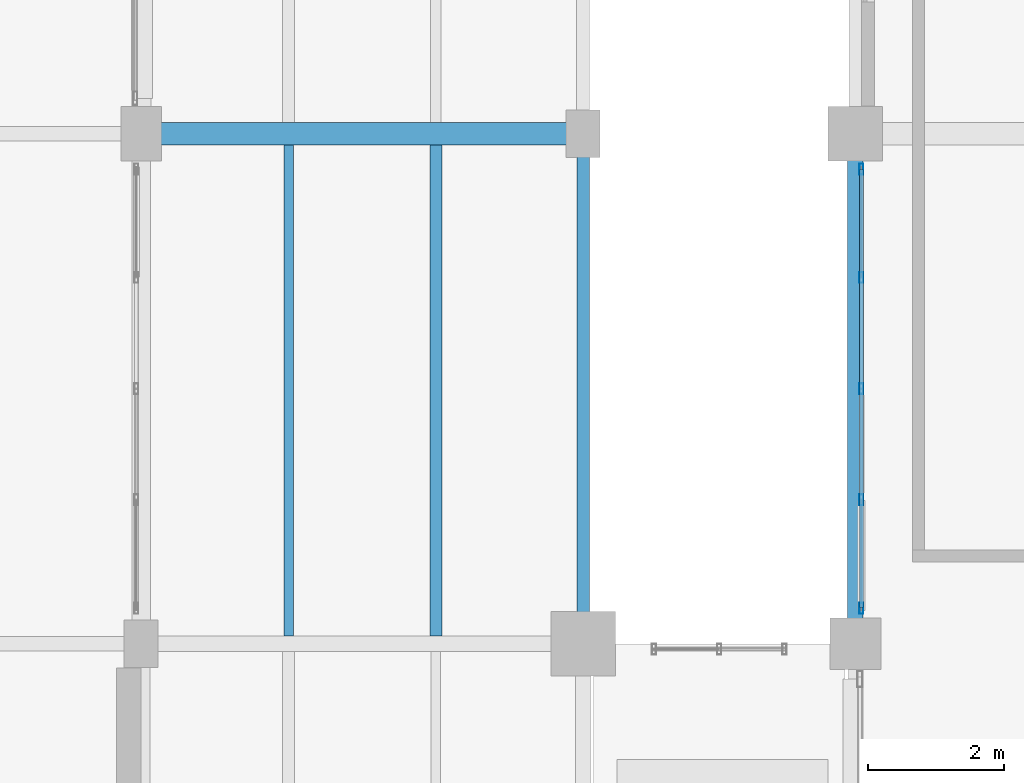
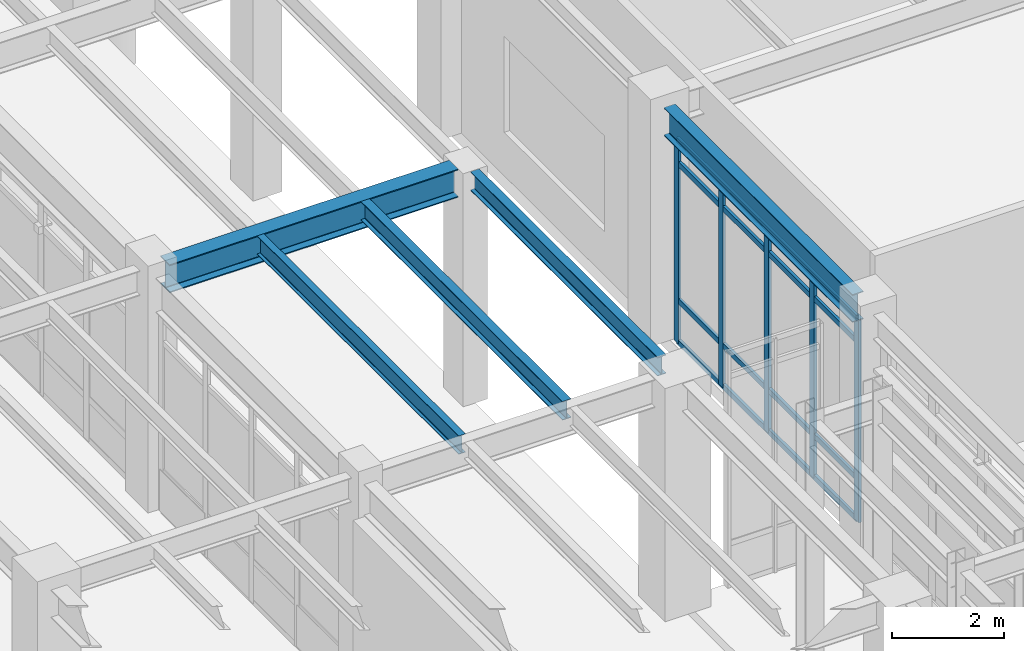
# One storey, part 116 of 203: 9 members, 5 beams, 1 element without a shape of its own.
"""IFC4 building model written with IfcOpenShell, lengths in metres."""

from ifc_helpers import new_model, si_unit, direction, frame, origin, origin_2d, place, context, subcontext, project, spatial, hollow_rectangle, i_section, extrude, material, material_profile, profile_set, type_object, element, aggregate, save


model = new_model("IFC4")

# Units and contexts
model_context = context("Model", 3, precision=1e-05, world=origin(), true_north=direction((0.0, 1.0)))
body_context = subcontext(model_context, "Body", "Model", "MODEL_VIEW")
ifc_project = project(units=[si_unit("LENGTHUNIT", "METRE"), si_unit("AREAUNIT", "SQUARE_METRE"), si_unit("VOLUMEUNIT", "CUBIC_METRE"), si_unit("PLANEANGLEUNIT", "RADIAN"), si_unit("MASSUNIT", "GRAM", prefix="KILO"), si_unit("THERMODYNAMICTEMPERATUREUNIT", "KELVIN"), si_unit("POWERUNIT", "WATT")], contexts=[model_context])

# Site, building, storey
site_placement = place(None, origin())
site = spatial("IfcSite", under=ifc_project, at=site_placement, CompositionType="ELEMENT")
building_placement = place(site_placement, origin())
building = spatial("IfcBuilding", under=site, at=building_placement, Name="Tepalcoro Natatorium and Aquatics Centre", CompositionType="ELEMENT")
storey_placement = place(building_placement, origin())
storey = spatial("IfcBuildingStorey", under=building, at=storey_placement, Name="L00", CompositionType="ELEMENT", Elevation=0.0)

# Beam
ifc_material_1 = material(Name="Steel ASTM A992 Grade 50 (Fy 345 MPa)", Category="steel")
ifc_material_profile_1 = material_profile(ifc_material_1, i_section(OverallWidth=0.324951171875, OverallDepth=0.616943359375, WebThickness=0.013916015625, FlangeThickness=0.02197265625, FilletRadius=0.013916015625, at=origin_2d()), Name="W24X117")
ifc_profile_set_1 = profile_set([ifc_material_profile_1], Name="Steel ASTM A992 Grade 50 (Fy 345 MPa)")
beam_type_1 = type_object("IfcBeamType", Name="BM_W24x117", PredefinedType="BEAM", material=ifc_profile_set_1)
beam_1_placement = place(storey_placement, frame((131.784912109375, 51.5, 4.776611328125), z_axis=(1.0, 0.0, 0.0), x_axis=(0.0, 1.0, 0.0)))
element("IfcBeam", 1, at=beam_1_placement, inside=storey, type_object=beam_type_1, Name="V1 L00 Grid Girder X", PredefinedType="BEAM", context=body_context, shape_type="SweptSolid", body=[
    extrude(i_section(OverallWidth=0.324951171875, OverallDepth=0.616943359375, WebThickness=0.013916015625, FlangeThickness=0.02197265625, FilletRadius=0.013916015625, at=origin_2d()), origin(), (0.0, 0.0, 1.0), 5.97998046875),
])

# Curtain wall, members
ifc_material_2 = material(Name="Bronze-Anodised Extruded Aluminium Alloy EN AW-6063 T6", Category="aluminium")
curtain_wall_type = type_object("IfcCurtainWallType", Name="CW_V1_PLINTH", PredefinedType="USERDEFINED", material=ifc_material_2)
curtain_wall_placement = place(storey_placement, origin())
curtain_wall = element("IfcCurtainWall", 2, at=curtain_wall_placement, inside=storey, type_object=curtain_wall_type, Name="V2 L00 W Unitised Curtain Wall Bay 6", ObjectType="UNITISED STOREFRONT", PredefinedType="USERDEFINED")
ifc_material_profile_2 = material_profile(ifc_material_2, hollow_rectangle(XDim=0.06005859375, YDim=0.159912109375, WallThickness=0.00390625, at=origin_2d()), Name="AL60X160X4")
ifc_profile_set_2 = profile_set([ifc_material_profile_2], Name="Bronze-Anodised Extruded Aluminium Alloy EN AW-6063 T6")
member_type_1 = type_object("IfcMemberType", Name="CW_MUL_60x160", PredefinedType="MULLION", material=ifc_profile_set_2)
member_1_placement = place(storey_placement, frame((142.090087890625, 44.52001953125, 0.02001953125), z_axis=(0.0, 0.0, 1.0), x_axis=(1.0, 0.0, 0.0)))
member_1 = element("IfcMember", 3, at=member_1_placement, type_object=member_type_1, Name="CW_V1_PLINTH Curtain Wall Mullion", PredefinedType="MULLION", context=body_context, shape_type="SweptSolid", body=[
    extrude(hollow_rectangle(XDim=0.06005859375, YDim=0.159912109375, WallThickness=0.00390625, at=origin_2d()), origin(), (0.0, 0.0, 1.0), 4.4580078125),
])
member_2_placement = place(storey_placement, frame((142.090087890625, 46.114990234375, 0.02001953125), z_axis=(0.0, 0.0, 1.0), x_axis=(1.0, 0.0, 0.0)))
member_2 = element("IfcMember", 4, at=member_2_placement, type_object=member_type_1, Name="CW_V1_PLINTH Curtain Wall Mullion", PredefinedType="MULLION", context=body_context, shape_type="SweptSolid", body=[
    extrude(hollow_rectangle(XDim=0.06005859375, YDim=0.159912109375, WallThickness=0.00390625, at=origin_2d()), origin(), (0.0, 0.0, 1.0), 4.4580078125),
])
member_3_placement = place(storey_placement, frame((142.090087890625, 47.75, 0.02001953125), z_axis=(0.0, 0.0, 1.0), x_axis=(1.0, 0.0, 0.0)))
member_3 = element("IfcMember", 5, at=member_3_placement, type_object=member_type_1, Name="CW_V1_PLINTH Curtain Wall Mullion", PredefinedType="MULLION", context=body_context, shape_type="SweptSolid", body=[
    extrude(hollow_rectangle(XDim=0.06005859375, YDim=0.159912109375, WallThickness=0.00390625, at=origin_2d()), origin(), (0.0, 0.0, 1.0), 4.4580078125),
])
member_4_placement = place(storey_placement, frame((142.090087890625, 49.385009765625, 0.02001953125), z_axis=(0.0, 0.0, 1.0), x_axis=(1.0, 0.0, 0.0)))
member_4 = element("IfcMember", 6, at=member_4_placement, type_object=member_type_1, Name="CW_V1_PLINTH Curtain Wall Mullion", PredefinedType="MULLION", context=body_context, shape_type="SweptSolid", body=[
    extrude(hollow_rectangle(XDim=0.06005859375, YDim=0.159912109375, WallThickness=0.00390625, at=origin_2d()), origin(), (0.0, 0.0, 1.0), 4.4580078125),
])
member_5_placement = place(storey_placement, frame((142.090087890625, 50.97998046875, 0.02001953125), z_axis=(0.0, 0.0, 1.0), x_axis=(1.0, 0.0, 0.0)))
member_5 = element("IfcMember", 7, at=member_5_placement, type_object=member_type_1, Name="CW_V1_PLINTH Curtain Wall Mullion", PredefinedType="MULLION", context=body_context, shape_type="SweptSolid", body=[
    extrude(hollow_rectangle(XDim=0.06005859375, YDim=0.159912109375, WallThickness=0.00390625, at=origin_2d()), origin(), (0.0, 0.0, 1.0), 4.4580078125),
])
ifc_material_profile_3 = material_profile(ifc_material_2, hollow_rectangle(XDim=0.06005859375, YDim=0.1201171875, WallThickness=0.00390625, at=origin_2d()), Name="AL60X120X4")
ifc_profile_set_3 = profile_set([ifc_material_profile_3], Name="Bronze-Anodised Extruded Aluminium Alloy EN AW-6063 T6")
member_type_2 = type_object("IfcMemberType", Name="CW_TRN_60x120", PredefinedType="USERDEFINED", material=ifc_profile_set_3)
member_6_placement = place(storey_placement, frame((142.090087890625, 44.530029296875, 0.050048828125), z_axis=(0.0, 1.0, 0.0), x_axis=(-1.0, 0.0, 0.0)))
member_6 = element("IfcMember", 8, at=member_6_placement, type_object=member_type_2, Name="CW_V1_PLINTH Curtain Wall Transom", ObjectType="TRANSOM", PredefinedType="USERDEFINED", context=body_context, shape_type="SweptSolid", body=[
    extrude(hollow_rectangle(XDim=0.06005859375, YDim=0.1201171875, WallThickness=0.00390625, at=origin_2d()), origin(), (0.0, 0.0, 1.0), 6.43994140625),
])
member_7_placement = place(storey_placement, frame((142.090087890625, 44.530029296875, 0.949951171875), z_axis=(0.0, 1.0, 0.0), x_axis=(-1.0, 0.0, 0.0)))
member_7 = element("IfcMember", 9, at=member_7_placement, type_object=member_type_2, Name="CW_V1_PLINTH Curtain Wall Transom", ObjectType="TRANSOM", PredefinedType="USERDEFINED", context=body_context, shape_type="SweptSolid", body=[
    extrude(hollow_rectangle(XDim=0.06005859375, YDim=0.1201171875, WallThickness=0.00390625, at=origin_2d()), origin(), (0.0, 0.0, 1.0), 6.43994140625),
])
member_8_placement = place(storey_placement, frame((142.090087890625, 44.530029296875, 3.947998046875), z_axis=(0.0, 1.0, 0.0), x_axis=(-1.0, 0.0, 0.0)))
member_8 = element("IfcMember", 10, at=member_8_placement, type_object=member_type_2, Name="CW_V1_PLINTH Curtain Wall Transom", ObjectType="TRANSOM", PredefinedType="USERDEFINED", context=body_context, shape_type="SweptSolid", body=[
    extrude(hollow_rectangle(XDim=0.06005859375, YDim=0.1201171875, WallThickness=0.00390625, at=origin_2d()), origin(), (0.0, 0.0, 1.0), 6.43994140625),
])
member_9_placement = place(storey_placement, frame((142.090087890625, 44.530029296875, 4.447998046875), z_axis=(0.0, 1.0, 0.0), x_axis=(-1.0, 0.0, 0.0)))
member_9 = element("IfcMember", 11, at=member_9_placement, type_object=member_type_2, Name="CW_V1_PLINTH Curtain Wall Transom", ObjectType="TRANSOM", PredefinedType="USERDEFINED", context=body_context, shape_type="SweptSolid", body=[
    extrude(hollow_rectangle(XDim=0.06005859375, YDim=0.1201171875, WallThickness=0.00390625, at=origin_2d()), origin(), (0.0, 0.0, 1.0), 6.43994140625),
])
aggregate(curtain_wall, [member_1, member_2, member_3, member_4, member_5, member_6, member_7, member_8, member_9])

# Beams
ifc_material_profile_4 = material_profile(ifc_material_1, i_section(OverallWidth=0.139892578125, OverallDepth=0.404052734375, WebThickness=0.007080078125, FlangeThickness=0.010986328125, FilletRadius=0.013916015625, at=origin_2d()), Name="W16X31")
ifc_profile_set_4 = profile_set([ifc_material_profile_4], Name="Steel ASTM A992 Grade 50 (Fy 345 MPa)")
beam_type_2 = type_object("IfcBeamType", Name="JS_W16x31", PredefinedType="JOIST", material=ifc_profile_set_4)
beam_2_placement = place(storey_placement, frame((133.666748046875, 44.114990234375, 4.883056640625), z_axis=(0.0, 1.0, 0.0), x_axis=(-1.0, 0.0, 0.0)))
element("IfcBeam", 12, at=beam_2_placement, inside=storey, type_object=beam_type_2, Name="V1 L00 Floor Joist", PredefinedType="JOIST", context=body_context, shape_type="SweptSolid", body=[
    extrude(i_section(OverallWidth=0.139892578125, OverallDepth=0.404052734375, WebThickness=0.007080078125, FlangeThickness=0.010986328125, FilletRadius=0.013916015625, at=origin_2d()), origin(), (0.0, 0.0, 1.0), 7.222412109375),
])
ifc_material_profile_5 = material_profile(ifc_material_1, i_section(OverallWidth=0.178955078125, OverallDepth=0.409912109375, WebThickness=0.009033203125, FlangeThickness=0.013916015625, FilletRadius=0.013916015625, at=origin_2d()), Name="W16X45")
ifc_profile_set_5 = profile_set([ifc_material_profile_5], Name="Steel ASTM A992 Grade 50 (Fy 345 MPa)")
beam_type_3 = type_object("IfcBeamType", Name="JS_W16x45", PredefinedType="JOIST", material=ifc_profile_set_5)
beam_3_placement = place(storey_placement, frame((135.833251953125, 44.114990234375, 4.8798828125), z_axis=(0.0, 1.0, 0.0), x_axis=(-1.0, 0.0, 0.0)))
element("IfcBeam", 13, at=beam_3_placement, inside=storey, type_object=beam_type_3, Name="V1 L00 Floor Joist", PredefinedType="JOIST", context=body_context, shape_type="SweptSolid", body=[
    extrude(i_section(OverallWidth=0.178955078125, OverallDepth=0.409912109375, WebThickness=0.009033203125, FlangeThickness=0.013916015625, FilletRadius=0.013916015625, at=origin_2d()), origin(), (0.0, 0.0, 1.0), 7.222412109375),
])
ifc_material_profile_6 = material_profile(ifc_material_1, i_section(OverallWidth=0.179931640625, OverallDepth=0.4130859375, WebThickness=0.010009765625, FlangeThickness=0.01611328125, FilletRadius=0.013916015625, at=origin_2d()), Name="W16X50")
ifc_profile_set_6 = profile_set([ifc_material_profile_6], Name="Steel ASTM A992 Grade 50 (Fy 345 MPa)")
beam_type_4 = type_object("IfcBeamType", Name="SP_HSS300x200x12", PredefinedType="SPANDREL", material=ifc_profile_set_6)
beam_4_placement = place(storey_placement, frame((138.0, 44.4599609375, 4.87841796875), z_axis=(0.0, 1.0, 0.0), x_axis=(-1.0, 0.0, 0.0)))
element("IfcBeam", 14, at=beam_4_placement, inside=storey, type_object=beam_type_4, Name="V1 L00 Grid Girder Y", PredefinedType="SPANDREL", context=body_context, shape_type="SweptSolid", body=[
    extrude(i_section(OverallWidth=0.179931640625, OverallDepth=0.4130859375, WebThickness=0.010009765625, FlangeThickness=0.01611328125, FilletRadius=0.013916015625, at=origin_2d()), origin(), (0.0, 0.0, 1.0), 6.705078125),
])
ifc_material_profile_7 = material_profile(ifc_material_1, i_section(OverallWidth=0.22900390625, OverallDepth=0.612060546875, WebThickness=0.011962890625, FlangeThickness=0.02001953125, FilletRadius=0.013916015625, at=origin_2d()), Name="W24X84")
ifc_profile_set_7 = profile_set([ifc_material_profile_7], Name="Steel ASTM A992 Grade 50 (Fy 345 MPa)")
beam_type_5 = type_object("IfcBeamType", Name="SP_W24x84", PredefinedType="SPANDREL", material=ifc_profile_set_7)
beam_5_placement = place(storey_placement, frame((142.0, 44.360107421875, 4.819091796875), z_axis=(0.0, 1.0, 0.0), x_axis=(-1.0, 0.0, 0.0)))
element("IfcBeam", 15, at=beam_5_placement, inside=storey, type_object=beam_type_5, Name="V2 L00 Grid Girder Y", PredefinedType="SPANDREL", context=body_context, shape_type="SweptSolid", body=[
    extrude(i_section(OverallWidth=0.22900390625, OverallDepth=0.612060546875, WebThickness=0.011962890625, FlangeThickness=0.02001953125, FilletRadius=0.013916015625, at=origin_2d()), origin(), (0.0, 0.0, 1.0), 6.7548828125),
])

save(model, "model.ifc")
